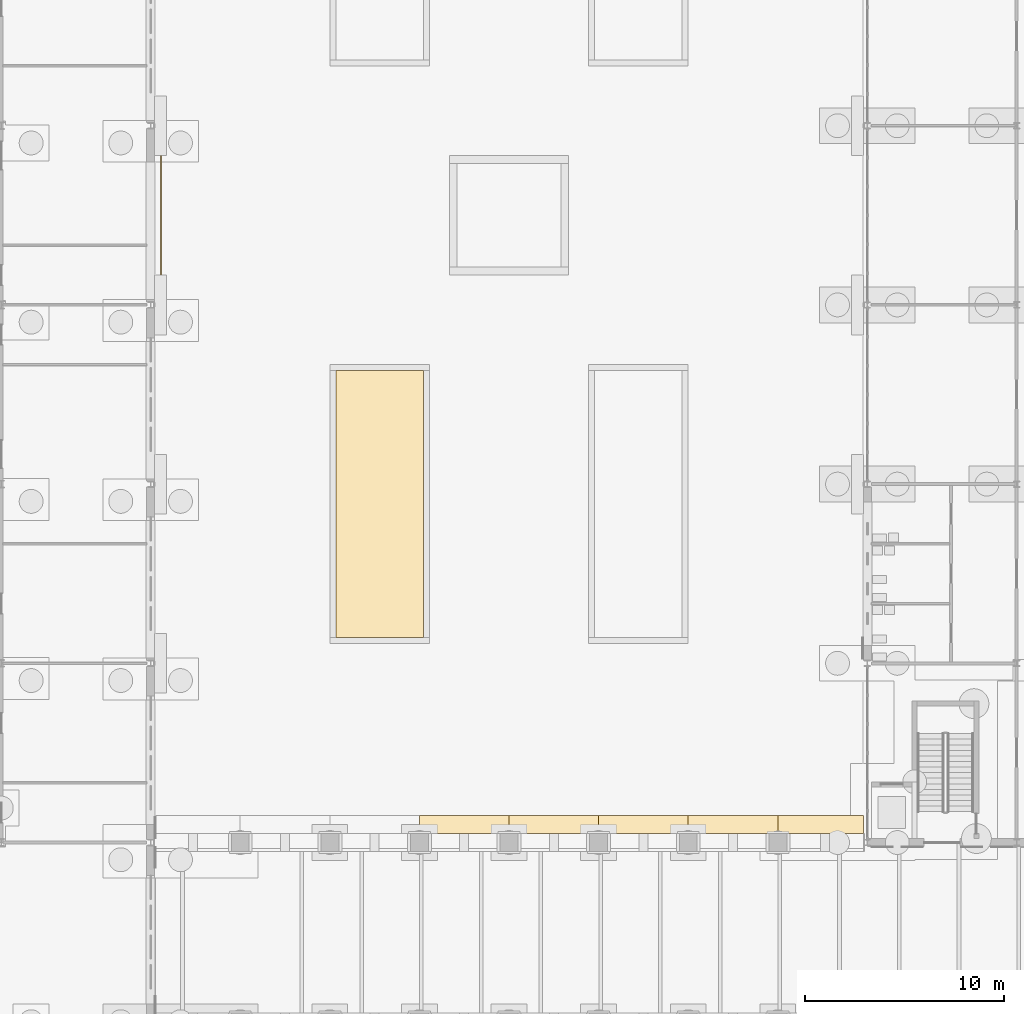
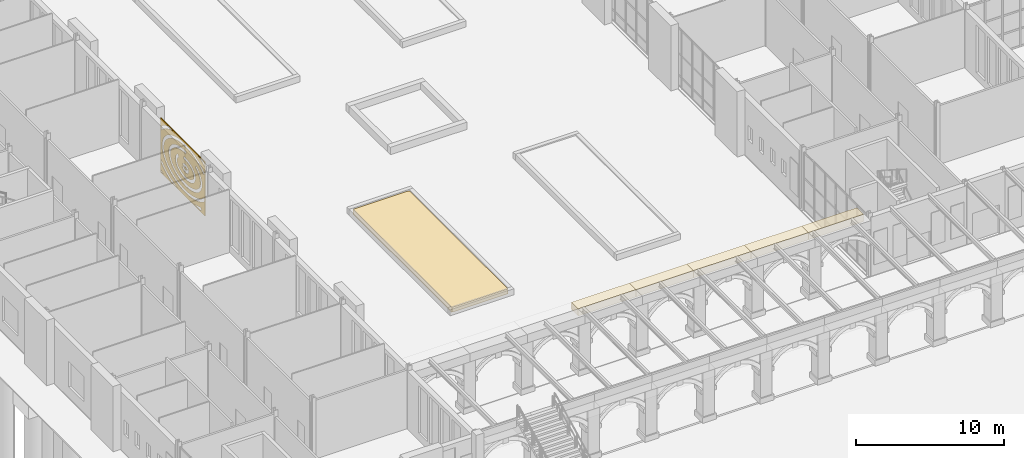
# One storey, part 129 of 168: 7 coverings.
"""IFC4 building model written with IfcOpenShell, lengths in metres."""

from ifc_helpers import new_model, si_unit, direction, frame, origin, origin_2d, place, context, subcontext, project, spatial, polyline, rectangle, outline, extrude, material, layer, layer_set, material_profile, profile_set, type_object, element, save


model = new_model("IFC4")

# Units and contexts
model_context = context("Model", 3, precision=1e-05, world=origin(), true_north=direction((0.0, 1.0)))
body_context = subcontext(model_context, "Body", "Model", "MODEL_VIEW")
ifc_project = project(units=[si_unit("LENGTHUNIT", "METRE"), si_unit("AREAUNIT", "SQUARE_METRE"), si_unit("VOLUMEUNIT", "CUBIC_METRE"), si_unit("PLANEANGLEUNIT", "RADIAN"), si_unit("MASSUNIT", "GRAM", prefix="KILO")], contexts=[model_context])

# Site, building, storey
site_placement = place(None, origin())
site = spatial("IfcSite", under=ifc_project, at=site_placement, CompositionType="ELEMENT")
building_placement = place(site_placement, origin())
building = spatial("IfcBuilding", under=site, at=building_placement, Name="Golden Quay Civic Hall", CompositionType="ELEMENT")
storey_placement = place(building_placement, origin())
storey = spatial("IfcBuildingStorey", under=building, at=storey_placement, Name="L00", CompositionType="ELEMENT", Elevation=0.0)

# Coverings
ifc_material_1 = material(Name="Aluminium, golden anodised, perforated", Category="aluminium")
ifc_layer_1 = layer(ifc_material_1, 0.0400390625)
ifc_layer_set_1 = layer_set([ifc_layer_1], Name="Perforated screen panel 6000 x 4500 x 40")
covering_type_1 = type_object("IfcCoveringType", Name="Perforated screen panel 6000 x 4500 x 40", PredefinedType="CLADDING", material=ifc_layer_set_1)
covering_1_placement = place(storey_placement, frame((18.5, 31.5, 2.25), z_axis=(1.0, 0.0, 0.0), x_axis=(0.0, 1.0, 0.0)))
element("IfcCovering", 1, at=covering_1_placement, inside=storey, type_object=covering_type_1, Name="Perforated screen panel 6000 x 4500 x 40 L00 1", PredefinedType="CLADDING", context=body_context, shape_type="SweptSolid", body=[
    extrude(outline(polyline([(-3.0, -2.25), (3.0, -2.25), (3.0, 2.25), (-3.0, 2.25), (-3.0, -2.25)]), holes=[polyline([(-0.140380859375, 0.12060546875), (-0.18359375, 0.148193359375), (-0.246337890625, 0.170654296875), (-0.321044921875, 0.18212890625), (-0.373291015625, 0.1826171875), (-0.448486328125, 0.172119140625), (-0.51220703125, 0.150146484375), (-0.55712890625, 0.12255859375), (-0.57470703125, 0.10498046875), (-0.5849609375, 0.086669921875), (-0.585693359375, 0.076416015625), (-0.578857421875, 0.060791015625), (-0.56494140625, 0.04443359375), (-0.541259765625, 0.02587890625), (-0.48779296875, -0.000244140625), (-0.418212890625, -0.017822265625), (-0.366943359375, -0.022705078125), (-0.31494140625, -0.021728515625), (-0.264404296875, -0.014892578125), (-0.218505859375, -0.00244140625), (-0.179443359375, 0.013916015625), (-0.1494140625, 0.032470703125), (-0.122802734375, 0.05859375), (-0.112548828125, 0.078125), (0.0947265625, -0.015869140625), (0.078857421875, -0.04833984375), (0.044677734375, -0.0966796875), (0.010498046875, -0.130859375), (-0.03955078125, -0.168212890625), (-0.079833984375, -0.19091796875), (-0.1416015625, -0.216796875), (-0.185546875, -0.22998046875), (-0.261474609375, -0.244873046875), (-0.30029296875, -0.248779296875), (-0.372314453125, -0.25048828125), (-0.45703125, -0.2421875), (-0.52587890625, -0.22705078125), (-0.56201171875, -0.215576171875), (-0.630126953125, -0.185791015625), (-0.669921875, -0.162109375), (-0.69970703125, -0.14013671875), (-0.751708984375, -0.088134765625), (-0.773193359375, -0.057861328125), (-0.790771484375, -0.025146484375), (-0.8037109375, 0.010009765625), (-0.811279296875, 0.046630859375), (-0.8125, 0.1044921875), (-0.805908203125, 0.141357421875), (-0.794189453125, 0.177001953125), (-0.770263671875, 0.22265625), (-0.724853515625, 0.277587890625), (-0.6689453125, 0.32275390625), (-0.604736328125, 0.358154296875), (-0.5703125, 0.37255859375), (-0.50439453125, 0.392578125), (-0.4208984375, 0.406982421875), (-0.34228515625, 0.41064453125), (-0.2705078125, 0.406005859375), (-0.1943359375, 0.392333984375), (-0.150146484375, 0.379638671875), (-0.079833984375, 0.350830078125), (-0.0244140625, 0.318115234375), (0.0126953125, 0.2890625), (0.05419921875, 0.2451171875), (-0.11962890625, 0.09814453125), (-0.140380859375, 0.12060546875)]), polyline([(-0.2822265625, 0.739990234375), (-0.37158203125, 0.740966796875), (-0.461181640625, 0.73779296875), (-0.5498046875, 0.730712890625), (-0.63720703125, 0.718994140625), (-0.72265625, 0.70361328125), (-0.805908203125, 0.68408203125), (-0.885986328125, 0.6611328125), (-0.962890625, 0.63427734375), (-1.03564453125, 0.604248046875), (-1.104248046875, 0.571044921875), (-1.167724609375, 0.534912109375), (-1.226318359375, 0.49658203125), (-1.279052734375, 0.455810546875), (-1.325927734375, 0.41357421875), (-1.366943359375, 0.3701171875), (-1.401611328125, 0.325439453125), (-1.430419921875, 0.280517578125), (-1.452880859375, 0.235107421875), (-1.469482421875, 0.18994140625), (-1.480224609375, 0.144775390625), (-1.485595703125, 0.099853515625), (-1.485107421875, 0.054931640625), (-1.479248046875, 0.010009765625), (-1.4677734375, -0.03515625), (-1.450439453125, -0.08056640625), (-1.42724609375, -0.125732421875), (-1.39794921875, -0.1708984375), (-1.3623046875, -0.215087890625), (-1.32080078125, -0.2587890625), (-1.273193359375, -0.30078125), (-1.219482421875, -0.34130859375), (-1.160400390625, -0.37939453125), (-1.09619140625, -0.4150390625), (-1.02734375, -0.447998046875), (-0.9541015625, -0.4775390625), (-0.876708984375, -0.50390625), (-0.796142578125, -0.526611328125), (-0.712646484375, -0.545654296875), (-0.626953125, -0.560791015625), (-0.539306640625, -0.57177734375), (-0.45068359375, -0.57861328125), (-0.361083984375, -0.5810546875), (-0.271484375, -0.57958984375), (-0.1826171875, -0.57373046875), (-0.0947265625, -0.563720703125), (-0.00830078125, -0.5498046875), (0.07568359375, -0.53173828125), (0.156982421875, -0.510009765625), (0.235107421875, -0.484619140625), (0.3095703125, -0.45556640625), (0.379638671875, -0.423583984375), (0.445068359375, -0.388427734375), (0.50537109375, -0.350830078125), (0.560302734375, -0.31103515625), (0.609375, -0.269287109375), (0.652587890625, -0.22607421875), (0.689697265625, -0.181884765625), (0.720703125, -0.136962890625), (0.745361328125, -0.091796875), (0.76416015625, -0.04638671875), (0.777099609375, -0.001220703125), (0.7841796875, 0.043701171875), (0.785888671875, 0.088623046875), (0.781982421875, 0.133544921875), (0.772705078125, 0.1787109375), (0.757568359375, 0.223876953125), (0.736572265625, 0.269287109375), (0.70947265625, 0.314208984375), (0.676025390625, 0.35888671875), (0.63671875, 0.40283203125), (0.59130859375, 0.445556640625), (0.53662109375, 0.4892578125), (0.6787109375, 0.6669921875), (0.73681640625, 0.62060546875), (0.7958984375, 0.565673828125), (0.848876953125, 0.50732421875), (0.895263671875, 0.44580078125), (0.934814453125, 0.381103515625), (0.966552734375, 0.31396484375), (0.990478515625, 0.24462890625), (1.00634765625, 0.17333984375), (1.01318359375, 0.10107421875), (1.011474609375, 0.0283203125), (1.00048828125, -0.044189453125), (0.981201171875, -0.115234375), (0.953369140625, -0.1845703125), (0.91748046875, -0.251220703125), (0.8740234375, -0.315185546875), (0.823974609375, -0.376220703125), (0.76025390625, -0.439697265625), (0.697509765625, -0.49267578125), (0.635986328125, -0.537353515625), (0.555908203125, -0.58740234375), (0.4775390625, -0.62890625), (0.39501953125, -0.66650390625), (0.30859375, -0.699951171875), (0.224853515625, -0.727294921875), (0.126220703125, -0.75390625), (0.031005859375, -0.77392578125), (-0.06640625, -0.789794921875), (-0.1650390625, -0.80078125), (-0.264892578125, -0.80712890625), (-0.35986328125, -0.80859375), (-0.4599609375, -0.805908203125), (-0.5595703125, -0.79833984375), (-0.657958984375, -0.7861328125), (-0.760498046875, -0.768310546875), (-0.849609375, -0.748046875), (-0.941650390625, -0.72216796875), (-1.030517578125, -0.69189453125), (-1.115966796875, -0.65771484375), (-1.203857421875, -0.61572265625), (-1.2744140625, -0.576416015625), (-1.3466796875, -0.530029296875), (-1.42041015625, -0.474365234375), (-1.47509765625, -0.42626953125), (-1.5302734375, -0.368896484375), (-1.5791015625, -0.30859375), (-1.62109375, -0.2451171875), (-1.65576171875, -0.178955078125), (-1.682861328125, -0.110107421875), (-1.701416015625, -0.03955078125), (-1.711669921875, 0.032470703125), (-1.71240234375, 0.118896484375), (-1.703125, 0.191162109375), (-1.689208984375, 0.24951171875), (-1.664306640625, 0.3193359375), (-1.631591796875, 0.38720703125), (-1.5908203125, 0.4521484375), (-1.543212890625, 0.51416015625), (-1.488525390625, 0.572998046875), (-1.427978515625, 0.628173828125), (-1.354736328125, 0.684326171875), (-1.283203125, 0.731201171875), (-1.206787109375, 0.774169921875), (-1.125732421875, 0.813232421875), (-1.040771484375, 0.84814453125), (-0.9521484375, 0.87890625), (-0.860595703125, 0.9052734375), (-0.76611328125, 0.927001953125), (-0.66943359375, 0.944580078125), (-0.5712890625, 0.957275390625), (-0.47705078125, 0.965087890625), (-0.376953125, 0.968505859375), (-0.276611328125, 0.967529296875), (-0.177001953125, 0.961669921875), (-0.077880859375, 0.951171875), (-0.102294921875, 0.724853515625), (-0.193115234375, 0.734619140625), (-0.2822265625, 0.739990234375)]), polyline([(-1.890625, 0.873046875), (-1.972900390625, 0.81201171875), (-2.048095703125, 0.748046875), (-2.1162109375, 0.681884765625), (-2.177001953125, 0.61376953125), (-2.22998046875, 0.5439453125), (-2.275146484375, 0.472900390625), (-2.312744140625, 0.40087890625), (-2.34228515625, 0.328369140625), (-2.364501953125, 0.25537109375), (-2.378662109375, 0.18212890625), (-2.385498046875, 0.108642578125), (-2.384521484375, 0.035400390625), (-2.376220703125, -0.0380859375), (-2.3603515625, -0.111328125), (-2.336669921875, -0.18408203125), (-2.30517578125, -0.256591796875), (-2.26611328125, -0.32861328125), (-2.218994140625, -0.3994140625), (-2.164306640625, -0.46875), (-2.10205078125, -0.53662109375), (-2.032470703125, -0.602294921875), (-1.95556640625, -0.665283203125), (-1.871826171875, -0.725830078125), (-1.781494140625, -0.783203125), (-1.68505859375, -0.83740234375), (-1.582763671875, -0.887451171875), (-1.47509765625, -0.93359375), (-1.362548828125, -0.975830078125), (-1.24560546875, -1.01318359375), (-1.124755859375, -1.04638671875), (-1.00048828125, -1.074462890625), (-0.87353515625, -1.09765625), (-0.744140625, -1.11572265625), (-0.61328125, -1.12890625), (-0.481201171875, -1.13671875), (-0.348388671875, -1.13916015625), (-0.2158203125, -1.136474609375), (-0.08349609375, -1.12841796875), (0.04736328125, -1.115478515625), (0.1767578125, -1.09716796875), (0.3037109375, -1.07373046875), (0.427734375, -1.04541015625), (0.548583984375, -1.012451171875), (0.665283203125, -0.974853515625), (0.777587890625, -0.9326171875), (0.88525390625, -0.88623046875), (0.987548828125, -0.8359375), (1.083740234375, -0.781982421875), (1.174072265625, -0.724609375), (1.257568359375, -0.663818359375), (1.334228515625, -0.6005859375), (1.40380859375, -0.534912109375), (1.4658203125, -0.467041015625), (1.520263671875, -0.3974609375), (1.567138671875, -0.32666015625), (1.606201171875, -0.2548828125), (1.63720703125, -0.182373046875), (1.66064453125, -0.109619140625), (1.676513671875, -0.0361328125), (1.684814453125, 0.037109375), (1.685302734375, 0.110595703125), (1.678466796875, 0.183837890625), (1.663818359375, 0.257080078125), (1.6416015625, 0.330078125), (1.61181640625, 0.40283203125), (1.57421875, 0.474853515625), (1.52880859375, 0.5458984375), (1.4755859375, 0.615478515625), (1.414794921875, 0.68359375), (1.346435546875, 0.749755859375), (1.27099609375, 0.8134765625), (1.1884765625, 0.87451171875), (1.099365234375, 0.9326171875), (1.00390625, 0.987060546875), (0.90283203125, 1.0380859375), (0.796142578125, 1.085205078125), (0.6845703125, 1.1279296875), (0.568359375, 1.16650390625), (0.4482421875, 1.2001953125), (0.32470703125, 1.2294921875), (0.197998046875, 1.253662109375), (0.069091796875, 1.272705078125), (-0.0615234375, 1.28662109375), (-0.193359375, 1.29541015625), (-0.326171875, 1.299072265625), (-0.461181640625, 1.29736328125), (-0.464111328125, 1.52490234375), (-0.32666015625, 1.526611328125), (-0.18505859375, 1.52294921875), (-0.0439453125, 1.513671875), (0.095703125, 1.498779296875), (0.23388671875, 1.478271484375), (0.36962890625, 1.452392578125), (0.507568359375, 1.420166015625), (0.632568359375, 1.384765625), (0.758544921875, 1.34326171875), (0.88037109375, 1.296630859375), (0.997314453125, 1.2451171875), (1.109130859375, 1.189208984375), (1.21533203125, 1.12841796875), (1.3212890625, 1.0595703125), (1.4091796875, 0.994140625), (1.496337890625, 0.921142578125), (1.575927734375, 0.84423828125), (1.648193359375, 0.763916015625), (1.71240234375, 0.68017578125), (1.7685546875, 0.59326171875), (1.8203125, 0.494384765625), (1.854248046875, 0.411865234375), (1.88330078125, 0.318115234375), (1.90283203125, 0.222412109375), (1.91259765625, 0.126220703125), (1.91162109375, 0.017578125), (1.900146484375, -0.07861328125), (1.879150390625, -0.173828125), (1.848388671875, -0.267333984375), (1.81298828125, -0.349609375), (1.759765625, -0.447998046875), (1.702392578125, -0.5341796875), (1.63671875, -0.617431640625), (1.563232421875, -0.697509765625), (1.48779296875, -0.7685546875), (1.39404296875, -0.84619140625), (1.29931640625, -0.91455078125), (1.197998046875, -0.97900390625), (1.0908203125, -1.038818359375), (0.97802734375, -1.09423828125), (0.860107421875, -1.144775390625), (0.73779296875, -1.190673828125), (0.611083984375, -1.231201171875), (0.480712890625, -1.266845703125), (0.34716796875, -1.297119140625), (0.215576171875, -1.3212890625), (0.072509765625, -1.341552734375), (-0.067626953125, -1.355712890625), (-0.208740234375, -1.364013671875), (-0.3505859375, -1.36669921875), (-0.4921875, -1.364013671875), (-0.63330078125, -1.35546875), (-0.773681640625, -1.341552734375), (-0.907470703125, -1.32275390625), (-1.043701171875, -1.2978515625), (-1.177490234375, -1.267578125), (-1.307861328125, -1.232421875), (-1.4345703125, -1.191650390625), (-1.55712890625, -1.14599609375), (-1.67529296875, -1.095458984375), (-1.7880859375, -1.040283203125), (-1.8955078125, -0.98046875), (-1.99658203125, -0.916259765625), (-2.091796875, -0.847900390625), (-2.18017578125, -0.775390625), (-2.26123046875, -0.69921875), (-2.3349609375, -0.619384765625), (-2.40625, -0.52880859375), (-2.45849609375, -0.4501953125), (-2.50732421875, -0.361083984375), (-2.547607421875, -0.269775390625), (-2.57861328125, -0.17626953125), (-2.601806640625, -0.069580078125), (-2.6123046875, 0.02685546875), (-2.61279296875, 0.123779296875), (-2.603271484375, 0.22021484375), (-2.583984375, 0.315673828125), (-2.55517578125, 0.40966796875), (-2.516845703125, 0.50146484375), (-2.4697265625, 0.591064453125), (-2.419189453125, 0.67041015625), (-2.349853515625, 0.76171875), (-2.27783203125, 0.84228515625), (-2.1982421875, 0.919189453125), (-2.111572265625, 0.992431640625), (-2.01806640625, 1.061767578125), (-1.91796875, 1.126708984375), (-1.817138671875, 1.184814453125), (-1.703857421875, 0.9873046875), (-1.8017578125, 0.93115234375), (-1.890625, 0.873046875)]), polyline([(-2.93994140625, -0.751708984375), (-2.84521484375, -0.852294921875), (-2.75634765625, -0.93408203125), (-2.659912109375, -1.012939453125), (-2.555908203125, -1.0888671875), (-2.4453125, -1.161376953125), (-2.327880859375, -1.22998046875), (-2.2041015625, -1.294921875), (-2.07470703125, -1.355712890625), (-1.939697265625, -1.411865234375), (-1.799560546875, -1.46337890625), (-1.655029296875, -1.510498046875), (-1.506103515625, -1.55224609375), (-1.353759765625, -1.589111328125), (-1.197998046875, -1.62060546875), (-1.039794921875, -1.64697265625), (-0.87939453125, -1.667724609375), (-0.717041015625, -1.68310546875), (-0.5537109375, -1.69287109375), (-0.389892578125, -1.697021484375), (-0.2255859375, -1.695556640625), (-0.06201171875, -1.6884765625), (0.100830078125, -1.67578125), (0.26220703125, -1.65771484375), (0.421630859375, -1.634033203125), (0.57861328125, -1.60498046875), (0.73291015625, -1.57080078125), (0.88330078125, -1.53125), (1.030029296875, -1.48681640625), (1.17236328125, -1.4375), (1.309814453125, -1.38330078125), (1.442138671875, -1.32470703125), (1.568603515625, -1.261962890625), (1.689208984375, -1.195068359375), (1.80322265625, -1.12451171875), (1.910400390625, -1.050048828125), (2.010498046875, -0.97265625), (2.10302734375, -0.89208984375), (2.18798828125, -0.80908203125), (2.26513671875, -0.723388671875), (2.334228515625, -0.635986328125), (2.39501953125, -0.546630859375), (2.447509765625, -0.4560546875), (2.491455078125, -0.3642578125), (2.527099609375, -0.271484375), (2.554443359375, -0.178466796875), (2.5732421875, -0.084716796875), (2.583740234375, 0.00927734375), (2.585693359375, 0.103515625), (2.57958984375, 0.197509765625), (2.56494140625, 0.291259765625), (2.5419921875, 0.384765625), (2.510498046875, 0.477783203125), (2.470703125, 0.570068359375), (2.42236328125, 0.661376953125), (2.36572265625, 0.751220703125), (2.30078125, 0.839599609375), (2.227783203125, 0.92626953125), (2.14697265625, 1.010498046875), (2.05810546875, 1.092529296875), (1.961669921875, 1.17138671875), (1.85791015625, 1.247314453125), (1.747314453125, 1.320068359375), (1.630126953125, 1.388916015625), (1.506591796875, 1.45361328125), (1.377197265625, 1.514404296875), (1.2421875, 1.57080078125), (1.102294921875, 1.62255859375), (0.957763671875, 1.669677734375), (0.80908203125, 1.711669921875), (0.656494140625, 1.74853515625), (0.5009765625, 1.7802734375), (0.3427734375, 1.806396484375), (0.182373046875, 1.827392578125), (0.02001953125, 1.843017578125), (-0.143310546875, 1.852783203125), (-0.30712890625, 1.85693359375), (-0.47119140625, 1.855712890625), (-0.635009765625, 1.8486328125), (-0.7978515625, 1.836181640625), (-0.959228515625, 1.818115234375), (-1.118896484375, 1.794677734375), (-1.27587890625, 1.765625), (-1.429931640625, 1.7314453125), (-1.58056640625, 1.692138671875), (-1.727294921875, 1.647705078125), (-1.869873046875, 1.598388671875), (-2.00732421875, 1.54443359375), (-2.1396484375, 1.486083984375), (-2.266357421875, 1.423095703125), (-2.386962890625, 1.3564453125), (-2.501220703125, 1.28564453125), (-2.6083984375, 1.21142578125), (-2.708740234375, 1.134033203125), (-2.803955078125, 1.051513671875), (-2.93994140625, 1.208251953125), (-2.93994140625, 1.23486328125), (-2.855224609375, 1.30810546875), (-2.745361328125, 1.3935546875), (-2.628173828125, 1.474609375), (-2.499755859375, 1.55419921875), (-2.369873046875, 1.6259765625), (-2.238525390625, 1.69091796875), (-2.0927734375, 1.755615234375), (-1.9462890625, 1.812744140625), (-1.7998046875, 1.863525390625), (-1.640380859375, 1.911865234375), (-1.481201171875, 1.953125), (-1.319091796875, 1.9892578125), (-1.154052734375, 2.01953125), (-0.986572265625, 2.044189453125), (-0.8173828125, 2.06298828125), (-0.646484375, 2.075927734375), (-0.47509765625, 2.083251953125), (-0.30322265625, 2.084716796875), (-0.13134765625, 2.080078125), (0.039794921875, 2.069580078125), (0.209716796875, 2.053466796875), (0.378173828125, 2.031494140625), (0.54443359375, 2.003662109375), (0.708251953125, 1.97021484375), (0.868896484375, 1.93115234375), (1.02587890625, 1.88671875), (1.17919921875, 1.8369140625), (1.327880859375, 1.78173828125), (1.4716796875, 1.7216796875), (1.610107421875, 1.656494140625), (1.742919921875, 1.58642578125), (1.869873046875, 1.511962890625), (1.989990234375, 1.432861328125), (2.103515625, 1.349609375), (2.2099609375, 1.26220703125), (2.30859375, 1.1708984375), (2.3994140625, 1.07568359375), (2.482177734375, 0.977294921875), (2.556396484375, 0.8759765625), (2.62158203125, 0.771484375), (2.677734375, 0.664306640625), (2.724609375, 0.554931640625), (2.76171875, 0.44384765625), (2.7890625, 0.331298828125), (2.80517578125, 0.2275390625), (2.813232421875, 0.11328125), (2.811279296875, -0.000732421875), (2.79736328125, -0.12451171875), (2.7744140625, -0.237548828125), (2.744384765625, -0.340087890625), (2.69873046875, -0.458740234375), (2.646484375, -0.56640625), (2.58984375, -0.664306640625), (2.515380859375, -0.773681640625), (2.436767578125, -0.873046875), (2.349853515625, -0.96923828125), (2.2548828125, -1.061767578125), (2.1572265625, -1.146484375), (2.04248046875, -1.235595703125), (1.925537109375, -1.31640625), (1.806884765625, -1.389892578125), (1.67236328125, -1.464599609375), (1.53662109375, -1.531982421875), (1.3955078125, -1.59423828125), (1.249267578125, -1.651611328125), (1.1025390625, -1.70263671875), (0.943115234375, -1.7509765625), (0.7841796875, -1.79248046875), (0.6220703125, -1.82861328125), (0.45703125, -1.85888671875), (0.289794921875, -1.8837890625), (0.12060546875, -1.902587890625), (-0.04638671875, -1.91552734375), (-0.2216796875, -1.923095703125), (-0.3935546875, -1.924560546875), (-0.5654296875, -1.920166015625), (-0.732666015625, -1.91015625), (-0.902587890625, -1.894287109375), (-1.071044921875, -1.872314453125), (-1.2373046875, -1.844970703125), (-1.4052734375, -1.810791015625), (-1.561767578125, -1.773193359375), (-1.71875, -1.72900390625), (-1.8720703125, -1.67919921875), (-2.020751953125, -1.62451171875), (-2.16455078125, -1.564697265625), (-2.3076171875, -1.497802734375), (-2.440673828125, -1.427734375), (-2.5673828125, -1.353271484375), (-2.68798828125, -1.2744140625), (-2.801513671875, -1.191162109375), (-2.93994140625, -1.07421875), (-2.93994140625, -0.751708984375)]), polyline([(-2.1357421875, -1.985107421875), (-1.9677734375, -2.035888671875), (-1.795654296875, -2.081787109375), (-1.619873046875, -2.12255859375), (-1.441162109375, -2.157958984375), (-1.24560546875, -2.18994140625), (-2.23974609375, -2.18994140625), (-2.37890625, -2.142333984375), (-2.5419921875, -2.080078125), (-2.460693359375, -1.86767578125), (-2.2998046875, -1.928955078125), (-2.1357421875, -1.985107421875)]), polyline([(0.542724609375, -2.18994140625), (0.781494140625, -2.150634765625), (0.95947265625, -2.114013671875), (1.134521484375, -2.072021484375), (1.3056640625, -2.02490234375), (1.472900390625, -1.972900390625), (1.6357421875, -1.916015625), (1.793701171875, -1.85400390625), (1.946533203125, -1.787841796875), (2.09375, -1.717041015625), (2.235107421875, -1.64208984375), (2.3701171875, -1.56298828125), (2.498291015625, -1.480224609375), (2.6201171875, -1.393798828125), (2.734375, -1.30419921875), (2.84130859375, -1.21142578125), (2.93994140625, -1.116455078125), (2.93994140625, -1.42724609375), (2.876953125, -1.481689453125), (2.75390625, -1.577880859375), (2.623779296875, -1.670166015625), (2.4912109375, -1.755615234375), (2.34375, -1.842041015625), (2.1943359375, -1.921142578125), (2.0390625, -1.99560546875), (1.87841796875, -2.065185546875), (1.716796875, -2.128662109375), (1.541259765625, -2.18994140625), (0.542724609375, -2.18994140625)]), polyline([(2.90380859375, 1.3125), (2.801513671875, 1.406982421875), (2.69189453125, 1.49853515625), (2.57470703125, 1.5869140625), (2.45068359375, 1.672119140625), (2.319580078125, 1.75341796875), (2.18212890625, 1.830810546875), (2.03857421875, 1.904296875), (1.88916015625, 1.973388671875), (1.734375, 2.0380859375), (1.574462890625, 2.097900390625), (1.409912109375, 2.1533203125), (1.286376953125, 2.18994140625), (1.961181640625, 2.18994140625), (2.13623046875, 2.10986328125), (2.2919921875, 2.0302734375), (2.437744140625, 1.947998046875), (2.5771484375, 1.861328125), (2.709716796875, 1.770263671875), (2.831298828125, 1.6787109375), (2.93994140625, 1.587890625), (2.93994140625, 1.275146484375), (2.90380859375, 1.3125)]), polyline([(-1.986328125, 2.18994140625), (-2.198486328125, 2.12451171875), (-2.360595703125, 2.066650390625), (-2.517822265625, 2.004150390625), (-2.669677734375, 1.93701171875), (-2.81591796875, 1.865478515625), (-2.93994140625, 1.798828125), (-2.93994140625, 2.057373046875), (-2.767578125, 2.142578125), (-2.660400390625, 2.18994140625), (-1.986328125, 2.18994140625)]), polyline([(2.703369140625, -2.128662109375), (2.857666015625, -2.045166015625), (2.93994140625, -1.99658203125), (2.93994140625, -2.18994140625), (2.5791015625, -2.18994140625), (2.703369140625, -2.128662109375)])]), origin(), (0.0, 0.0, 1.0), 0.0400390625),
])
ifc_material_2 = material(Name="Planting soil")
ifc_layer_2 = layer(ifc_material_2, 0.39990234375)
ifc_layer_set_2 = layer_set([ifc_layer_2], Name="Planting soil 400")
covering_type_2 = type_object("IfcCoveringType", Name="Planting soil 400", PredefinedType="FLOORING", material=ifc_layer_set_2)
covering_2_placement = place(storey_placement, origin())
element("IfcCovering", 2, at=covering_2_placement, inside=storey, type_object=covering_type_2, Name="Court planting West Court 1", PredefinedType="FLOORING", context=body_context, shape_type="SweptSolid", body=[
    extrude(outline(polyline([(27.300048828125, 10.300048828125), (31.699951171875, 10.300048828125), (31.699951171875, 23.699951171875), (27.300048828125, 23.699951171875), (27.300048828125, 10.300048828125)])), origin(), (0.0, 0.0, 1.0), 0.39990234375),
])
ifc_material_3 = material(Name="Stone, buff limestone", Category="masonry")
ifc_material_profile = material_profile(ifc_material_3, rectangle(XDim=0.89990234375, YDim=0.60009765625, at=origin_2d()), Name="RC 900x600")
ifc_profile_set = profile_set([ifc_material_profile], Name="Stone, buff limestone")
covering_type_3 = type_object("IfcCoveringType", Name="Stone cornice 900 x 600", PredefinedType="MOLDING", material=ifc_profile_set)
for number, where, z_axis, x_axis, name in (
    (3, (31.5, 0.89990234375, 4.5), (1.0, 0.0, 0.0), (0.0, 1.0, 0.0), "Stone cornice inner0 bay 4"),
    (4, (36.0, 0.89990234375, 4.5), (1.0, 0.0, 0.0), (0.0, 1.0, 0.0), "Stone cornice inner0 bay 5"),
    (5, (40.5, 0.89990234375, 4.5), (1.0, 0.0, 0.0), (0.0, 1.0, 0.0), "Stone cornice inner0 bay 6"),
    (6, (45.0, 0.89990234375, 4.5), (1.0, 0.0, 0.0), (0.0, 1.0, 0.0), "Stone cornice inner0 bay 7"),
):
    element("IfcCovering", number, at=place(storey_placement, frame(where, z_axis=z_axis, x_axis=x_axis)), inside=storey, type_object=covering_type_3, Name=name, PredefinedType="MOLDING", context=body_context, shape_type="SweptSolid", body=[
        extrude(rectangle(XDim=0.89990234375, YDim=0.60009765625, at=origin_2d()), origin(), (0.0, 0.0, 1.0), 4.5),
    ])
covering_3_placement = place(storey_placement, frame((49.5, 0.89990234375, 4.5), z_axis=(1.0, 0.0, 0.0), x_axis=(0.0, 1.0, 0.0)))
element("IfcCovering", 7, at=covering_3_placement, inside=storey, type_object=covering_type_3, Name="Stone cornice inner0 bay 8", PredefinedType="MOLDING", context=body_context, shape_type="SweptSolid", body=[
    extrude(rectangle(XDim=0.89990234375, YDim=0.60009765625, at=origin_2d()), origin(), (0.0, 0.0, 1.0), 4.300048828125),
])

save(model, "model.ifc")
